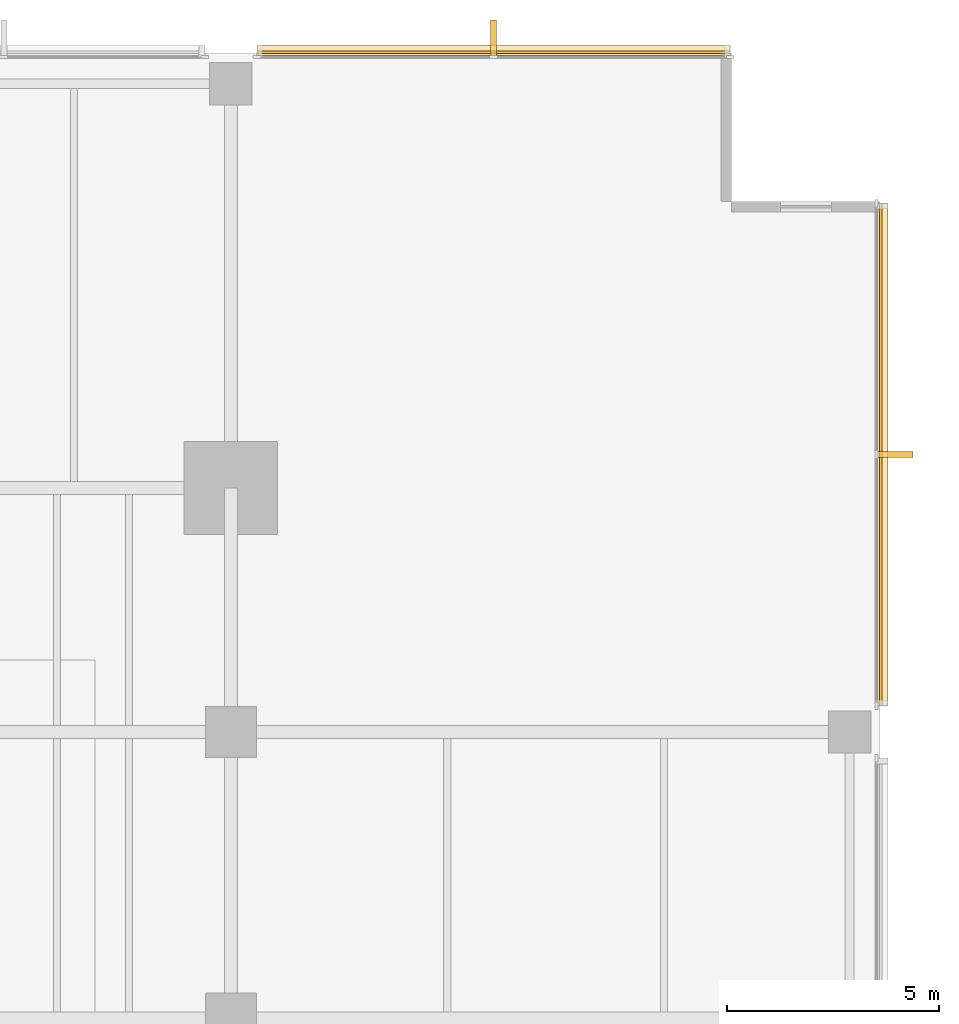
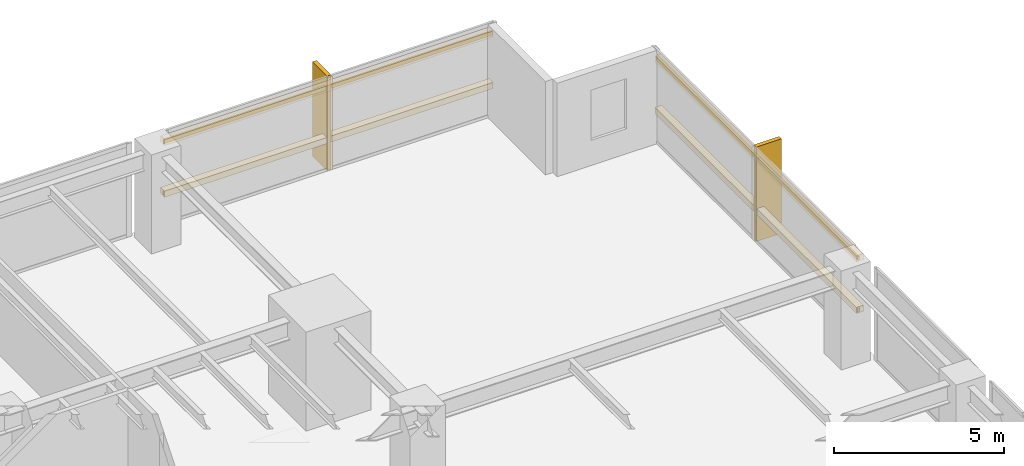
# One storey, part 15 of 15: 6 coverings, 4 shading devices.
"""IFC4 building model written with IfcOpenShell, lengths in metres."""

from ifc_helpers import new_model, si_unit, direction, frame, origin, origin_2d, place, context, subcontext, project, spatial, polyline, rectangle, outline, extrude, material, layer, layer_set, material_profile, profile_set, type_object, element, save


model = new_model("IFC4")

# Units and contexts
model_context = context("Model", 3, precision=1e-05, world=origin(), true_north=direction((0.0, 1.0)))
body_context = subcontext(model_context, "Body", "Model", "MODEL_VIEW")
ifc_project = project(units=[si_unit("LENGTHUNIT", "METRE"), si_unit("AREAUNIT", "SQUARE_METRE"), si_unit("VOLUMEUNIT", "CUBIC_METRE"), si_unit("PLANEANGLEUNIT", "RADIAN"), si_unit("MASSUNIT", "GRAM", prefix="KILO")], contexts=[model_context])

# Site, building, storey
site_placement = place(None, origin())
site = spatial("IfcSite", under=ifc_project, at=site_placement, CompositionType="ELEMENT")
building_placement = place(site_placement, origin())
building = spatial("IfcBuilding", under=site, at=building_placement, Name="Kinhvarn Gate Tower", CompositionType="ELEMENT")
storey_placement = place(building_placement, frame((0.0, 0.0, 89.5)))
storey = spatial("IfcBuildingStorey", under=building, at=storey_placement, Name="L23", CompositionType="ELEMENT", Elevation=89.5)

# Coverings
ifc_material = material(Name="Fired architectural terracotta", Category="masonry")
ifc_layer_1 = layer(ifc_material, 0.239990234375)
ifc_layer_set_1 = layer_set([ifc_layer_1], Name="Fired architectural terracotta")
covering_type_1 = type_object("IfcCoveringType", Name="COV-BAG-220", PredefinedType="CLADDING", material=ifc_layer_set_1)
for number, where, name in (
    (1, (0.0, 0.0, 0.93994140625), "Terracotta Horizontal Sunscreen Band TBG-220 (L23)"),
    (2, (0.0, 0.0, 2.7900390625), "Terracotta Horizontal Sunscreen Band TBG-220 (L23)"),
):
    element("IfcCovering", number, at=place(storey_placement, frame(where)), inside=storey, type_object=covering_type_1, Name=name, PredefinedType="CLADDING", context=body_context, shape_type="SweptSolid", body=[
        extrude(outline(polyline([(49.9599609375, 47.93994140625), (38.820068359375, 47.93994140625), (38.820068359375, 48.179931640625), (49.9599609375, 48.179931640625), (49.9599609375, 47.93994140625)])), origin(), (0.0, 0.0, 1.0), 0.219970703125),
    ])
for number, where, name in (
    (3, (0.0, 0.0, 0.93994140625), "Terracotta Horizontal Sunscreen Band TBG-220 (L23)"),
    (4, (0.0, 0.0, 2.7900390625), "Terracotta Horizontal Sunscreen Band TBG-220 (L23)"),
):
    element("IfcCovering", number, at=place(storey_placement, frame(where)), inside=storey, type_object=covering_type_1, Name=name, PredefinedType="CLADDING", context=body_context, shape_type="SweptSolid", body=[
        extrude(outline(polyline([(53.43994140625, 32.6201171875), (53.43994140625, 44.4599609375), (53.679931640625, 44.4599609375), (53.679931640625, 32.6201171875), (53.43994140625, 32.6201171875)])), origin(), (0.0, 0.0, 1.0), 0.219970703125),
    ])
ifc_layer_2 = layer(ifc_material, 0.139892578125)
ifc_layer_set_2 = layer_set([ifc_layer_2], Name="Fired architectural terracotta")
covering_type_2 = type_object("IfcCoveringType", Name="COV-FIN-850", PredefinedType="CLADDING", material=ifc_layer_set_2)
covering_1_placement = place(storey_placement, frame((0.0, 0.0, -0.02001953125)))
element("IfcCovering", 5, at=covering_1_placement, inside=storey, type_object=covering_type_2, Name="Vertical Terracotta Expressive Fin TFN-850 (L23)", PredefinedType="CLADDING", context=body_context, shape_type="SweptSolid", body=[
    extrude(outline(polyline([(44.4599609375, 47.929931640625), (44.320068359375, 47.929931640625), (44.320068359375, 48.780029296875), (44.4599609375, 48.780029296875), (44.4599609375, 47.929931640625)])), origin(), (0.0, 0.0, 1.0), 3.39013671875),
])
covering_2_placement = place(storey_placement, frame((0.0, 0.0, -0.02001953125)))
element("IfcCovering", 6, at=covering_2_placement, inside=storey, type_object=covering_type_2, Name="Vertical Terracotta Expressive Fin TFN-850 (L23)", PredefinedType="CLADDING", context=body_context, shape_type="SweptSolid", body=[
    extrude(outline(polyline([(53.429931640625, 38.469970703125), (53.429931640625, 38.610107421875), (54.280029296875, 38.610107421875), (54.280029296875, 38.469970703125), (53.429931640625, 38.469970703125)])), origin(), (0.0, 0.0, 1.0), 3.39013671875),
])

# Shading devices
ifc_material_profile = material_profile(ifc_material, rectangle(XDim=0.06005859375, YDim=0.139892578125, at=origin_2d()), Name="TC 60x140")
ifc_profile_set = profile_set([ifc_material_profile], Name="Fired architectural terracotta")
shading_device_type = type_object("IfcShadingDeviceType", Name="SHD-BAG-180", PredefinedType="USERDEFINED", material=ifc_profile_set)
for number, where, z_axis, x_axis, name in (
    (7, (49.9599609375, 48.014892578125, 1.050048828125), (-1.0, 0.0, 0.0), (0.0, -1.0, 0.0), "Fired Terracotta Baguette Screen Rod 60x140 mm (L23)"),
    (8, (49.9599609375, 48.014892578125, 2.89990234375), (-1.0, 0.0, 0.0), (0.0, -1.0, 0.0), "Fired Terracotta Baguette Screen Rod 60x140 mm (L23)"),
):
    element("IfcShadingDevice", number, at=place(storey_placement, frame(where, z_axis=z_axis, x_axis=x_axis)), inside=storey, type_object=shading_device_type, Name=name, ObjectType="BAGUETTE", PredefinedType="USERDEFINED", context=body_context, shape_type="SweptSolid", body=[
        extrude(rectangle(XDim=0.06005859375, YDim=0.139892578125, at=origin_2d()), origin(), (0.0, 0.0, 1.0), 11.139892578125),
    ])
for number, where, z_axis, x_axis, name in (
    (9, (53.514892578125, 32.6201171875, 1.050048828125), (0.0, 1.0, 0.0), (-1.0, 0.0, 0.0), "Fired Terracotta Baguette Screen Rod 60x140 mm (L23)"),
    (10, (53.514892578125, 32.6201171875, 2.89990234375), (0.0, 1.0, 0.0), (-1.0, 0.0, 0.0), "Fired Terracotta Baguette Screen Rod 60x140 mm (L23)"),
):
    element("IfcShadingDevice", number, at=place(storey_placement, frame(where, z_axis=z_axis, x_axis=x_axis)), inside=storey, type_object=shading_device_type, Name=name, ObjectType="BAGUETTE", PredefinedType="USERDEFINED", context=body_context, shape_type="SweptSolid", body=[
        extrude(rectangle(XDim=0.06005859375, YDim=0.139892578125, at=origin_2d()), origin(), (0.0, 0.0, 1.0), 11.83984375),
    ])

save(model, "model.ifc")
